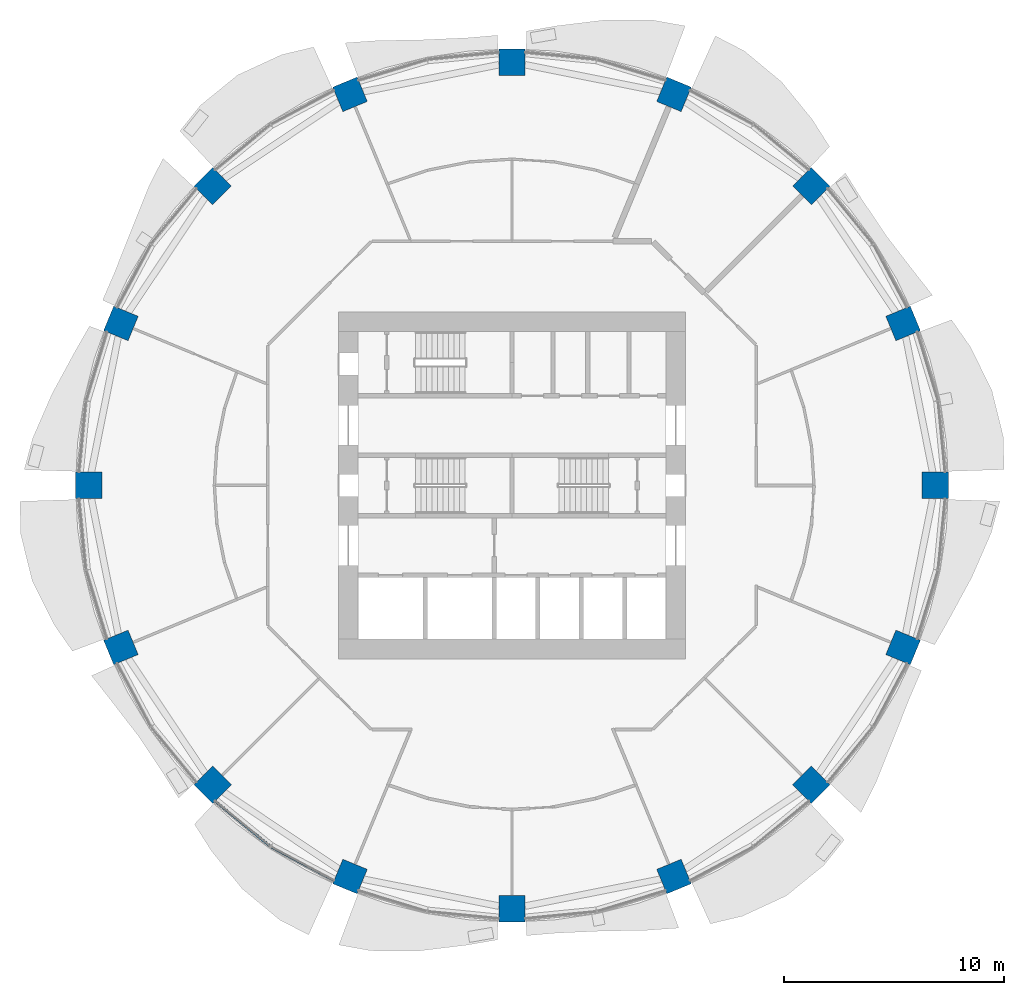
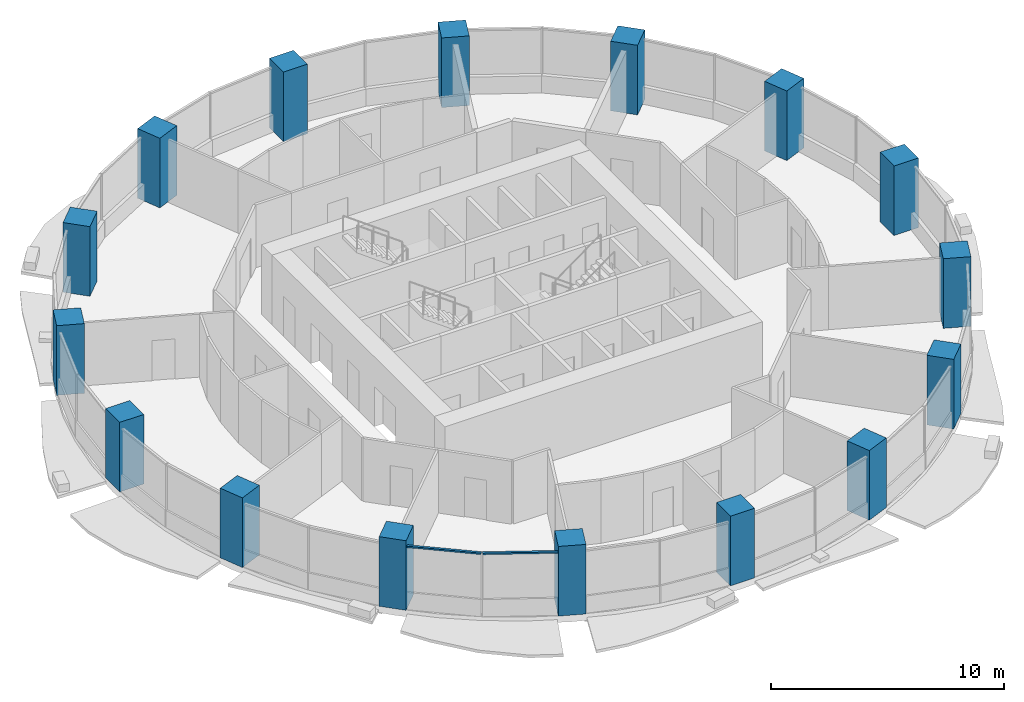
# One storey, part 1 of 15: 16 columns, 2 members, 1 element without a shape of its own.
"""IFC4 building model written with IfcOpenShell, lengths in metres."""

from ifc_helpers import new_model, si_unit, direction, frame, origin, origin_2d, place, context, subcontext, project, spatial, rectangle, extrude, material, material_profile, profile_set, type_object, element, aggregate, save


model = new_model("IFC4")

# Units and contexts
model_context = context("Model", 3, precision=1e-05, world=origin(), true_north=direction((0.0, 1.0)))
body_context = subcontext(model_context, "Body", "Model", "MODEL_VIEW")
ifc_project = project(units=[si_unit("LENGTHUNIT", "METRE"), si_unit("AREAUNIT", "SQUARE_METRE"), si_unit("VOLUMEUNIT", "CUBIC_METRE"), si_unit("PLANEANGLEUNIT", "RADIAN"), si_unit("MASSUNIT", "GRAM", prefix="KILO")], contexts=[model_context])

# Site, building, storey
site_placement = place(None, origin())
site = spatial("IfcSite", under=ifc_project, at=site_placement, CompositionType="ELEMENT")
building_placement = place(site_placement, origin())
building = spatial("IfcBuilding", under=site, at=building_placement, Name="Polderwave Tower", CompositionType="ELEMENT")
storey_placement = place(building_placement, frame((0.0, 0.0, 26.199951171875)))
storey = spatial("IfcBuildingStorey", under=building, at=storey_placement, Name="L06", CompositionType="ELEMENT", Elevation=26.199951171875)

# Columns
ifc_material_1 = material(Name="Concrete C70/85", Category="concrete")
ifc_material_profile_1 = material_profile(ifc_material_1, rectangle(XDim=1.199951171875, YDim=1.199951171875, at=origin_2d()), Name="RC 1200x1200")
ifc_profile_set_1 = profile_set([ifc_material_profile_1], Name="Concrete C70/85")
column_type = type_object("IfcColumnType", Name="RC COLUMN 1200x1200 C70/85", PredefinedType="COLUMN", material=ifc_profile_set_1)
for number, where, z_axis, x_axis, name in (
    (1, (19.199951171875, 0.0, 0.0), (0.0, 0.0, 1.0), (1.0, 0.0, 0.0), "Ring column 01"),
    (2, (17.738525390625, 7.347412109375, 0.0), (0.0, 0.0, 1.0), (0.923879532511, 0.382683432365, 0.0), "Ring column 02"),
    (3, (13.576416015625, 13.576416015625, 0.0), (0.0, 0.0, 1.0), (0.707106781187, 0.707106781187, 0.0), "Ring column 03"),
    (4, (7.347412109375, 17.738525390625, 0.0), (0.0, 0.0, 1.0), (0.382683432365, 0.923879532511, 0.0), "Ring column 04"),
    (5, (0.0, 19.199951171875, 0.0), (0.0, 0.0, 1.0), (0.0, 1.0, 0.0), "Ring column 05"),
    (6, (-7.347412109375, 17.738525390625, 0.0), (0.0, 0.0, 1.0), (-0.382683432365, 0.923879532511, 0.0), "Ring column 06"),
    (7, (-13.576416015625, 13.576416015625, 0.0), (0.0, 0.0, 1.0), (-0.707106781187, 0.707106781187, 0.0), "Ring column 07"),
    (8, (-17.738525390625, 7.347412109375, 0.0), (0.0, 0.0, 1.0), (-0.923879532511, 0.382683432365, 0.0), "Ring column 08"),
    (9, (-19.199951171875, 0.0, 0.0), (0.0, 0.0, 1.0), (-1.0, 0.0, 0.0), "Ring column 09"),
    (10, (-17.738525390625, -7.347412109375, 0.0), (0.0, 0.0, 1.0), (-0.923879532511, -0.382683432365, 0.0), "Ring column 10"),
    (11, (-13.576416015625, -13.576416015625, 0.0), (0.0, 0.0, 1.0), (-0.707106781187, -0.707106781187, 0.0), "Ring column 11"),
    (12, (-7.347412109375, -17.738525390625, 0.0), (0.0, 0.0, 1.0), (-0.382683432365, -0.923879532511, 0.0), "Ring column 12"),
    (13, (0.0, -19.199951171875, 0.0), (0.0, 0.0, 1.0), (0.0, -1.0, 0.0), "Ring column 13"),
    (14, (7.347412109375, -17.738525390625, 0.0), (0.0, 0.0, 1.0), (0.382683432365, -0.923879532511, 0.0), "Ring column 14"),
    (15, (13.576416015625, -13.576416015625, 0.0), (0.0, 0.0, 1.0), (0.707106781187, -0.707106781187, 0.0), "Ring column 15"),
    (16, (17.738525390625, -7.347412109375, 0.0), (0.0, 0.0, 1.0), (0.923879532511, -0.382683432365, 0.0), "Ring column 16"),
):
    element("IfcColumn", number, at=place(storey_placement, frame(where, z_axis=z_axis, x_axis=x_axis)), inside=storey, type_object=column_type, Name=name, PredefinedType="COLUMN", context=body_context, shape_type="SweptSolid", body=[
        extrude(rectangle(XDim=1.199951171875, YDim=1.199951171875, at=origin_2d()), origin(), (0.0, 0.0, 1.0), 3.650146484375),
    ])

# Curtain wall, members
ifc_material_2 = material(Name="Aluminium 6063-T6 and glass", Category="aluminium")
curtain_wall_type = type_object("IfcCurtainWallType", Name="Growing floor ribbon glazing wall", PredefinedType="NOTDEFINED", material=ifc_material_2)
curtain_wall_placement = place(storey_placement, origin())
curtain_wall = element("IfcCurtainWall", 17, at=curtain_wall_placement, inside=storey, type_object=curtain_wall_type, Name="CW2 L06 10", PredefinedType="NOTDEFINED")
ifc_material_3 = material(Name="Aluminium 6063-T6", Category="aluminium")
ifc_material_profile_2 = material_profile(ifc_material_3, rectangle(XDim=0.1201171875, YDim=0.080078125, at=origin_2d()), Name="AL 80x120")
ifc_profile_set_2 = profile_set([ifc_material_profile_2], Name="Aluminium 6063-T6")
member_type = type_object("IfcMemberType", Name="Growing floor ribbon glazing transom 80x120", PredefinedType="USERDEFINED", material=ifc_profile_set_2)
member_1_placement = place(storey_placement, frame((-13.464111328125, -14.31201171875, 3.260009765625), z_axis=(0.772891772245, -0.634537869946, 0.0), x_axis=(0.634537869946, 0.772891772245, 0.0)))
member_1 = element("IfcMember", 18, at=member_1_placement, type_object=member_type, Name="CW2 transom 1", ObjectType="TRANSOM", PredefinedType="USERDEFINED", context=body_context, shape_type="SweptSolid", body=[
    extrude(rectangle(XDim=0.1201171875, YDim=0.080078125, at=origin_2d()), origin(), (0.0, 0.0, 1.0), 3.229248046875),
])
member_2_placement = place(storey_placement, frame((-10.91845703125, -16.39404296875, 3.260009765625), z_axis=(0.88192137056, -0.471396538118, 0.0), x_axis=(0.471396538118, 0.88192137056, 0.0)))
member_2 = element("IfcMember", 19, at=member_2_placement, type_object=member_type, Name="CW2 transom 2", ObjectType="TRANSOM", PredefinedType="USERDEFINED", context=body_context, shape_type="SweptSolid", body=[
    extrude(rectangle(XDim=0.1201171875, YDim=0.080078125, at=origin_2d()), origin(), (0.0, 0.0, 1.0), 3.228759765625),
])
aggregate(curtain_wall, [member_1, member_2])

save(model, "model.ifc")
